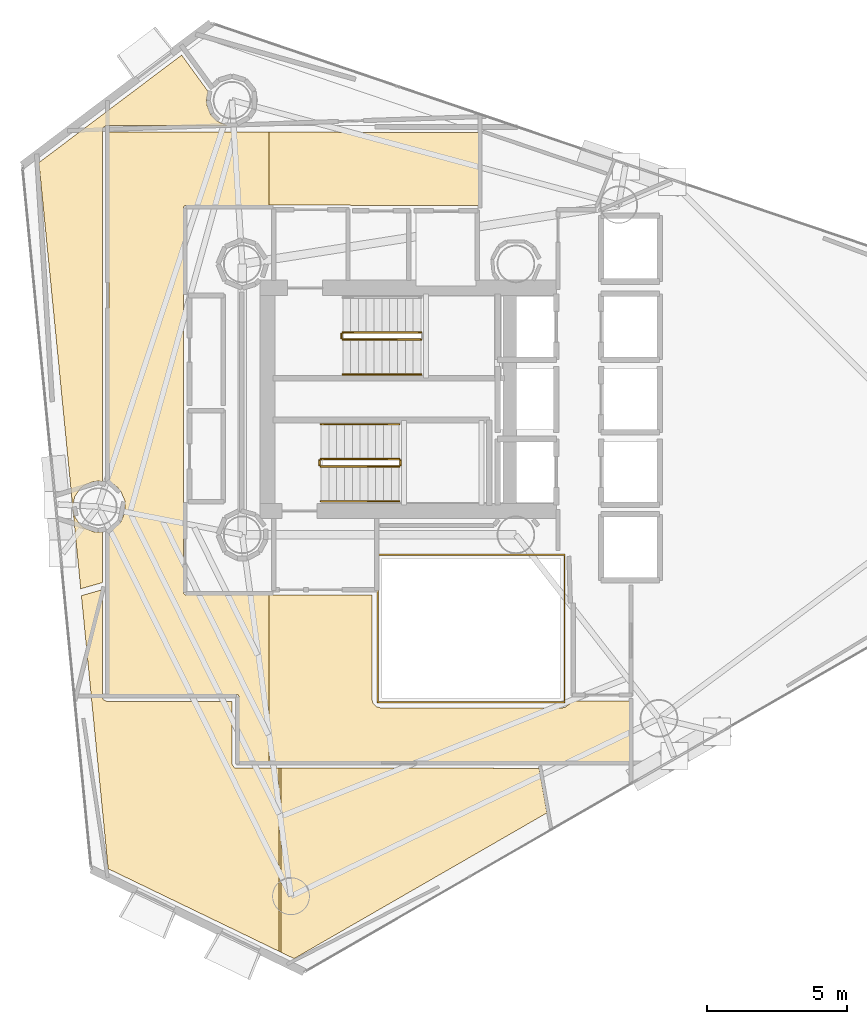
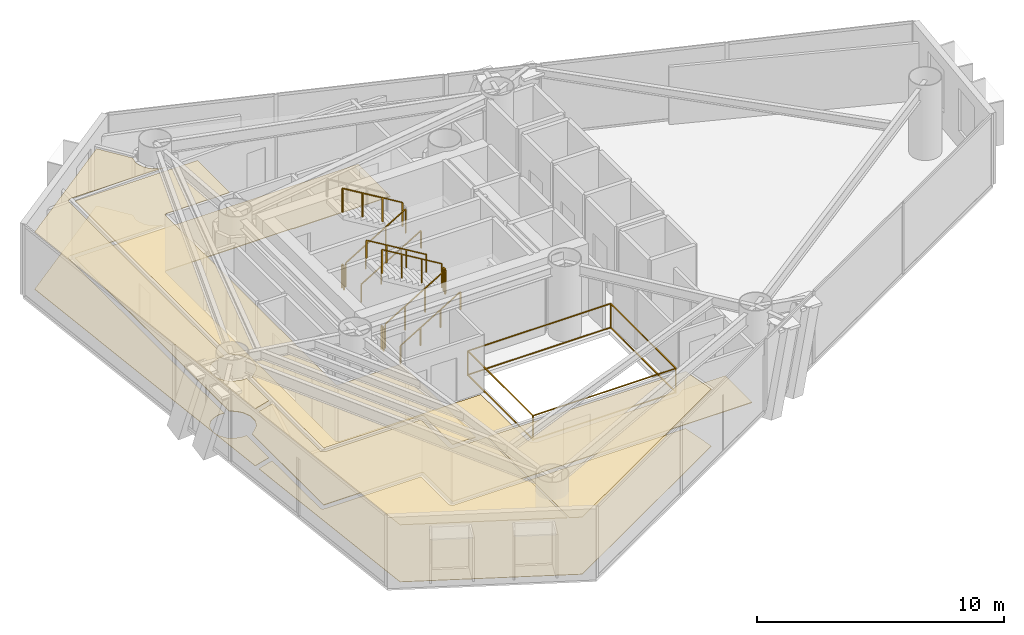
# One storey, part 21 of 22: 11 railings, 7 coverings.
"""IFC4 building model written with IfcOpenShell, lengths in metres."""

import ifcopenshell
import ifcopenshell.guid

model = None  # the IFC model being written
_history = None  # IfcOwnerHistory: only IFC2X3 demands one
_inside = {}  # id of a spatial element -> (the spatial element, [elements in it])
_under = {}  # id of a project, library or spatial element -> (it, [spatial elements below it])
_declared = {}  # id of a project -> (the project, [libraries it declares])
_typed = {}  # id of a type object -> (the type object, [elements of that type])
_made_of = {}  # id of a material, layer set ... -> (it, [elements and type objects made of it])


def new_model(schema):
    """Start an empty IFC model of exactly this schema.

    Asked for "IFC4X3", IfcOpenShell would pick the latest addendum, in which some entities
    have other attributes; the version numbers below select the first issue.
    IFC2X3 requires an IfcOwnerHistory on every rooted entity: one is made here for all.
    """
    global model, _history
    if schema == "IFC4X3":
        model = ifcopenshell.file(schema_version=(4, 3, 0, 0))
    else:
        model = ifcopenshell.file(schema=schema)
    _inside.clear()
    _under.clear()
    _declared.clear()
    _typed.clear()
    _made_of.clear()
    _history = None
    if model.schema == "IFC2X3":
        org = make("IfcOrganization", Name="unknown")
        user = make(
            "IfcPersonAndOrganization",
            ThePerson=make("IfcPerson", FamilyName="unknown"),
            TheOrganization=org,
        )
        app = make(
            "IfcApplication",
            ApplicationDeveloper=org,
            Version="unknown",
            ApplicationFullName="unknown",
            ApplicationIdentifier="unknown",
        )
        _history = make(
            "IfcOwnerHistory",
            OwningUser=user,
            OwningApplication=app,
            ChangeAction="ADDED",
            CreationDate=0,
        )
    return model


def make(cls, **values):
    """One entity of the class cls with the attributes given. An attribute that is None is left unset."""
    return model.create_entity(
        cls, **{name: value for name, value in values.items() if value is not None}
    )


def rooted(cls, **values):
    """An entity with a GlobalId (a new one), such as an element, a storey or a relation."""
    return make(cls, GlobalId=ifcopenshell.guid.new(), OwnerHistory=_history, **values)


def si_unit(unit_type, name, prefix=None):
    """IfcSIUnit, for example si_unit("LENGTHUNIT", "METRE", prefix="MILLI")."""
    return make("IfcSIUnit", UnitType=unit_type, Prefix=prefix, Name=name)


def assignment(units):
    """IfcUnitAssignment: the units of a project."""
    return None if units is None else make("IfcUnitAssignment", Units=units)


def point(xyz):
    """IfcCartesianPoint."""
    return None if xyz is None else make("IfcCartesianPoint", Coordinates=xyz)


def direction(xyz):
    """IfcDirection."""
    return None if xyz is None else make("IfcDirection", DirectionRatios=xyz)


def frame(location, z_axis=None, x_axis=None):
    """IfcAxis2Placement3D, a coordinate frame: its origin and axes. An axis left out is left unset."""
    return make(
        "IfcAxis2Placement3D",
        Location=point(location),
        Axis=direction(z_axis),
        RefDirection=direction(x_axis),
    )


def frame_2d(location, x_axis=None):
    """IfcAxis2Placement2D, a coordinate frame in the plane: its origin and x axis."""
    return make(
        "IfcAxis2Placement2D", Location=point(location), RefDirection=direction(x_axis)
    )


def origin():
    """The frame at (0, 0, 0) with its axes left unset."""
    return frame((0.0, 0.0, 0.0))


def origin_2d():
    """The frame at (0, 0) in the plane with its x axis left unset."""
    return frame_2d((0.0, 0.0))


def place(relative_to, where):
    """IfcLocalPlacement: puts the frame where relative to a parent placement (None: the world)."""
    return make(
        "IfcLocalPlacement", PlacementRelTo=relative_to, RelativePlacement=where
    )


def context(
    kind, dimensions, precision=None, world=None, true_north=None, identifier=None
):
    """IfcGeometricRepresentationContext, for example the 3D "Model" context."""
    return make(
        "IfcGeometricRepresentationContext",
        ContextIdentifier=identifier,
        ContextType=kind,
        CoordinateSpaceDimension=dimensions,
        Precision=precision,
        WorldCoordinateSystem=world,
        TrueNorth=true_north,
    )


def subcontext(parent, identifier, kind, view, scale=None):
    """IfcGeometricRepresentationSubContext, for example "Body" below "Model"."""
    return make(
        "IfcGeometricRepresentationSubContext",
        ContextIdentifier=identifier,
        ContextType=kind,
        ParentContext=parent,
        TargetScale=scale,
        TargetView=view,
    )


def project(units=None, contexts=None):
    """IfcProject with its units and contexts."""
    return rooted(
        "IfcProject",
        Name="project",
        RepresentationContexts=contexts,
        UnitsInContext=assignment(units),
    )


def spatial(cls, under=None, at=None, **own):
    """A site, building, storey or space (cls), placed at a placement, below another one or the project."""
    s = rooted(cls, ObjectPlacement=at, **own)
    if under is not None:
        _under.setdefault(under.id(), (under, []))[1].append(s)
    return s


def polyline(points):
    """IfcPolyline through the points."""
    return make("IfcPolyline", Points=[point(p) for p in points])


def profile(cls, at=None, kind="AREA", **sizes):
    """A parametric profile (cls). Its sizes go by their IFC names, for example OverallWidth=200.0."""
    return make(cls, ProfileType=kind, Position=at, **sizes)


def rectangle(**sizes):
    """IfcRectangleProfileDef."""
    return profile("IfcRectangleProfileDef", **sizes)


def outline(outer, holes=None, kind="AREA"):
    """IfcArbitraryClosedProfileDef: a profile drawn as a closed curve; with holes, ...WithVoids."""
    if holes is None:
        return make("IfcArbitraryClosedProfileDef", ProfileType=kind, OuterCurve=outer)
    return make(
        "IfcArbitraryProfileDefWithVoids",
        ProfileType=kind,
        OuterCurve=outer,
        InnerCurves=holes,
    )


def extrude(swept, where, along, depth):
    """IfcExtrudedAreaSolid: the profile swept, set in the frame where, extruded along a direction by depth."""
    return make(
        "IfcExtrudedAreaSolid",
        SweptArea=swept,
        Position=where,
        ExtrudedDirection=direction(along),
        Depth=depth,
    )


def shape(context_of_items, identifier, shape_type, items):
    """IfcShapeRepresentation: the items that make up one representation, for example the "Body"."""
    return make(
        "IfcShapeRepresentation",
        ContextOfItems=context_of_items,
        RepresentationIdentifier=identifier,
        RepresentationType=shape_type,
        Items=items,
    )


def material(Name=None, Category=None):
    """IfcMaterial."""
    return make("IfcMaterial", Name=Name, Category=Category)


def layer(
    of_material, thickness, ventilated=None, Name=None, Category=None, Priority=None
):
    """IfcMaterialLayer: one layer of a wall or slab, of a material (None: an air gap)."""
    return make(
        "IfcMaterialLayer",
        Material=of_material,
        LayerThickness=thickness,
        IsVentilated=ventilated,
        Name=Name,
        Category=Category,
        Priority=Priority,
    )


def layer_set(layers, Name=None):
    """IfcMaterialLayerSet."""
    return make("IfcMaterialLayerSet", MaterialLayers=layers, LayerSetName=Name)


def made_of(thing, what):
    """Note that an element or type object is made of a material, layer set ...; save() writes the relation."""
    if what is not None:
        _made_of.setdefault(what.id(), (what, []))[1].append(thing)
    return thing


def type_object(cls, material=None, **own):
    """A type object (cls), such as IfcWallType, which elements share."""
    return made_of(rooted(cls, **own), material)


def element(
    cls,
    number,
    at=None,
    inside=None,
    cuts=None,
    type_object=None,
    material=None,
    context=None,
    identifier="Body",
    shape_type=None,
    held_by="IfcProductDefinitionShape",
    body=None,
    shapes=None,
    **own,
):
    """One element of the class cls, such as IfcWall. Its Tag is "e" and its number.

    at: its placement. inside: the storey or other place that contains it. cuts: it is an
    opening in that element (IfcRelVoidsElement). A single representation is given by context,
    identifier, shape_type and body (its items); several are given by shapes. held_by: the class
    of the entity that holds the representations. save() writes the other relations.
    """
    e = rooted(cls, Tag="e%d" % number, ObjectPlacement=at, **own)
    if body is not None:
        shapes = [shape(context, identifier, shape_type, body)]
    if shapes is not None:
        e.Representation = make(held_by, Representations=shapes)
    if inside is not None:
        _inside.setdefault(inside.id(), (inside, []))[1].append(e)
    if cuts is not None:
        rooted(
            "IfcRelVoidsElement", RelatingBuildingElement=cuts, RelatedOpeningElement=e
        )
    if type_object is not None:
        _typed.setdefault(type_object.id(), (type_object, []))[1].append(e)
    return made_of(e, material)


def aggregate(whole, parts):
    """IfcRelAggregates: a whole, such as a stair, and the parts it consists of."""
    return rooted("IfcRelAggregates", RelatingObject=whole, RelatedObjects=parts)


def save(model, path):
    """Write the relations noted so far, then the file.

    IfcRelAggregates (storeys below a building ...), IfcRelContainedInSpatialStructure (elements
    in a storey), IfcRelDefinesByType, IfcRelAssociatesMaterial and IfcRelDeclares: one each for
    every whole, place, type object, material and project.
    """
    for whole, parts in _under.values():
        aggregate(whole, parts)
    for where, things in _inside.values():
        rooted(
            "IfcRelContainedInSpatialStructure",
            RelatedElements=things,
            RelatingStructure=where,
        )
    for kind, things in _typed.values():
        rooted("IfcRelDefinesByType", RelatedObjects=things, RelatingType=kind)
    for what, things in _made_of.values():
        rooted("IfcRelAssociatesMaterial", RelatedObjects=things, RelatingMaterial=what)
    for by, libraries in _declared.values():
        rooted("IfcRelDeclares", RelatingContext=by, RelatedDefinitions=libraries)
    model.write(path)


model = new_model("IFC4")

# Units and contexts
model_context = context("Model", 3, precision=1e-05, world=origin(), true_north=direction((0.0, 1.0)))
body_context = subcontext(model_context, "Body", "Model", "MODEL_VIEW")
ifc_project = project(units=[si_unit("LENGTHUNIT", "METRE"), si_unit("AREAUNIT", "SQUARE_METRE"), si_unit("VOLUMEUNIT", "CUBIC_METRE"), si_unit("PLANEANGLEUNIT", "RADIAN"), si_unit("MASSUNIT", "GRAM", prefix="KILO")], contexts=[model_context])

# Site, building, storey
site_placement = place(None, origin())
site = spatial("IfcSite", under=ifc_project, at=site_placement, CompositionType="ELEMENT")
building_placement = place(site_placement, origin())
building = spatial("IfcBuilding", under=site, at=building_placement, Name="Qianvela Tower", CompositionType="ELEMENT")
storey_placement = place(building_placement, frame((0.0, 0.0, 169.800048828125)))
storey = spatial("IfcBuildingStorey", under=building, at=storey_placement, Name="L43", CompositionType="ELEMENT", Elevation=169.800048828125)

# Coverings
ifc_material_1 = material(Name="Perforated Mineral Acoustic Ceiling Tile")
ifc_layer_1 = layer(ifc_material_1, 0.02490234375)
ifc_layer_set_1 = layer_set([ifc_layer_1], Name="Perforated Mineral Acoustic Ceiling Tile")
covering_type_1 = type_object("IfcCoveringType", Name="COV-CEIL-ACOUSTIC-25", PredefinedType="CEILING", material=ifc_layer_set_1)
covering_1_placement = place(storey_placement, frame((0.0, 0.0, 2.81494140625)))
element("IfcCovering", 1, at=covering_1_placement, inside=storey, type_object=covering_type_1, Name="L43 Acoustic Ceiling Bay 1 L43 Floor Corridor", PredefinedType="CEILING", context=body_context, shape_type="SweptSolid", body=[
    extrude(outline(polyline([(24.4033203125, 25.04150390625), (24.40234375, 25.04931640625), (24.400390625, 25.056884765625), (24.397705078125, 25.064208984375), (24.26416015625, 25.386962890625), (24.2607421875, 25.393798828125), (24.256591796875, 25.400634765625), (24.251953125, 25.406982421875), (24.140625, 25.54248046875), (24.135498046875, 25.54833984375), (24.129638671875, 25.5537109375), (23.830078125, 25.799560546875), (23.830078125, 38.27001953125), (29.554931640625, 38.266845703125), (29.554931640625, 35.651123046875), (26.57958984375, 35.639892578125), (26.572021484375, 35.6396484375), (26.564208984375, 35.638427734375), (26.556396484375, 35.636474609375), (26.54931640625, 35.6337890625), (26.5419921875, 35.630615234375), (26.535400390625, 35.62646484375), (26.529052734375, 35.62158203125), (26.523193359375, 35.616455078125), (26.51806640625, 35.610595703125), (26.513427734375, 35.6044921875), (26.509521484375, 35.59765625), (26.506103515625, 35.590576171875), (26.50341796875, 35.583251953125), (26.50146484375, 35.57568359375), (26.50048828125, 35.56787109375), (26.5, 35.56005859375), (26.5, 21.780029296875), (26.50048828125, 21.772216796875), (26.50146484375, 21.764404296875), (26.50341796875, 21.7568359375), (26.506103515625, 21.74951171875), (26.509521484375, 21.7421875), (26.513427734375, 21.735595703125), (26.518310546875, 21.729248046875), (26.5234375, 21.723388671875), (26.529296875, 21.71826171875), (26.53564453125, 21.71337890625), (26.542236328125, 21.70947265625), (26.54931640625, 21.7060546875), (26.556884765625, 21.703369140625), (26.564453125, 21.701416015625), (26.572265625, 21.700439453125), (26.580078125, 21.699951171875), (29.554931640625, 21.699951171875), (29.554931640625, 15.72998046875), (28.47998046875, 15.72998046875), (28.47998046875, 18.050048828125), (28.4794921875, 18.057861328125), (28.478515625, 18.065673828125), (28.4765625, 18.0732421875), (28.473876953125, 18.08056640625), (28.470703125, 18.087646484375), (28.466552734375, 18.094482421875), (28.4619140625, 18.100830078125), (28.45654296875, 18.106689453125), (28.45068359375, 18.11181640625), (28.4443359375, 18.116455078125), (28.437744140625, 18.12060546875), (28.4306640625, 18.123779296875), (28.423095703125, 18.126708984375), (28.41552734375, 18.12841796875), (28.40771484375, 18.129638671875), (28.39990234375, 18.1298828125), (23.830078125, 18.1298828125), (23.830078125, 23.921142578125), (24.244384765625, 24.302978515625), (24.25048828125, 24.30908203125), (24.255859375, 24.31591796875), (24.26025390625, 24.3232421875), (24.26416015625, 24.3310546875), (24.397705078125, 24.65380859375), (24.400390625, 24.6611328125), (24.40234375, 24.668701171875), (24.4033203125, 24.676513671875), (24.40380859375, 24.684326171875), (24.40380859375, 25.03369140625), (24.4033203125, 25.04150390625)])), origin(), (0.0, 0.0, 1.0), 0.02490234375),
])
covering_2_placement = place(storey_placement, frame((0.0, 0.0, 2.81494140625)))
element("IfcCovering", 2, at=covering_2_placement, inside=storey, type_object=covering_type_1, Name="L43 Acoustic Ceiling Bay 1 Tutorial Breakout Seminar L43-01", PredefinedType="CEILING", context=body_context, shape_type="SweptSolid", body=[
    extrude(outline(polyline([(23.59033203125, 21.884521484375), (23.603515625, 18.00537109375), (23.60400390625, 17.99755859375), (23.60498046875, 17.98974609375), (23.60693359375, 17.982177734375), (23.609619140625, 17.974853515625), (23.613037109375, 17.9677734375), (23.616943359375, 17.9609375), (23.62158203125, 17.95458984375), (23.626953125, 17.948974609375), (23.6328125, 17.943603515625), (23.63916015625, 17.93896484375), (23.645751953125, 17.93505859375), (23.71240234375, 17.8994140625), (23.719482421875, 17.89599609375), (23.726806640625, 17.893310546875), (23.734375, 17.8916015625), (23.7421875, 17.890380859375), (23.75, 17.889892578125), (28.239990234375, 17.889892578125), (28.239990234375, 15.64990234375), (28.240478515625, 15.64208984375), (28.241455078125, 15.634521484375), (28.243408203125, 15.626708984375), (28.24609375, 15.619384765625), (28.24951171875, 15.6123046875), (28.25341796875, 15.605712890625), (28.302978515625, 15.531494140625), (28.3076171875, 15.525390625), (28.312744140625, 15.51953125), (28.318603515625, 15.514404296875), (28.324951171875, 15.509521484375), (28.331787109375, 15.505615234375), (28.338623046875, 15.502197265625), (28.34619140625, 15.49951171875), (28.353759765625, 15.49755859375), (28.361572265625, 15.49658203125), (28.369384765625, 15.49609375), (29.9111328125, 15.4951171875), (29.9111328125, 8.9384765625), (23.7998046875, 11.890869140625), (22.841064453125, 21.669677734375), (23.59033203125, 21.884521484375)])), origin(), (0.0, 0.0, 1.0), 0.02490234375),
])
covering_3_placement = place(storey_placement, frame((0.0, 0.0, 2.81494140625)))
element("IfcCovering", 3, at=covering_3_placement, inside=storey, type_object=covering_type_1, Name="L43 Acoustic Ceiling Bay 2 Tutorial Breakout Seminar L43-01", PredefinedType="CEILING", context=body_context, shape_type="SweptSolid", body=[
    extrude(outline(polyline([(39.229248046875, 15.489990234375), (39.510986328125, 13.89208984375), (30.45703125, 8.6748046875), (29.9912109375, 8.89990234375), (29.9912109375, 15.4951171875), (39.229248046875, 15.489990234375)])), origin(), (0.0, 0.0, 1.0), 0.02490234375),
])
covering_4_placement = place(storey_placement, frame((0.0, 0.0, 2.81494140625)))
element("IfcCovering", 4, at=covering_4_placement, inside=storey, type_object=covering_type_1, Name="L43 Acoustic Ceiling Floor Dining Kitchen L43-05", PredefinedType="CEILING", context=body_context, shape_type="SweptSolid", body=[
    extrude(outline(polyline([(23.590087890625, 25.76025390625), (23.453857421875, 25.773681640625), (23.446044921875, 25.77392578125), (23.438232421875, 25.773681640625), (23.275390625, 25.757568359375), (23.267578125, 25.75634765625), (23.260009765625, 25.75439453125), (23.25244140625, 25.751953125), (22.951416015625, 25.627197265625), (22.9443359375, 25.623779296875), (22.937744140625, 25.619873046875), (22.931396484375, 25.614990234375), (22.8046875, 25.51123046875), (22.799072265625, 25.506103515625), (22.793701171875, 25.500244140625), (22.7890625, 25.493896484375), (22.60791015625, 25.222900390625), (22.60400390625, 25.21630859375), (22.6005859375, 25.209228515625), (22.597900390625, 25.201904296875), (22.59619140625, 25.194091796875), (22.532470703125, 24.87451171875), (22.531494140625, 24.86669921875), (22.531005859375, 24.85888671875), (22.531494140625, 24.851318359375), (22.532470703125, 24.843505859375), (22.59619140625, 24.52392578125), (22.597900390625, 24.51611328125), (22.6005859375, 24.5087890625), (22.60400390625, 24.501708984375), (22.60791015625, 24.4951171875), (22.7890625, 24.22412109375), (22.793701171875, 24.2177734375), (22.799072265625, 24.2119140625), (22.8046875, 24.206787109375), (22.931396484375, 24.102783203125), (22.937744140625, 24.09814453125), (22.9443359375, 24.09423828125), (22.951416015625, 24.0908203125), (23.25244140625, 23.966064453125), (23.260009765625, 23.96337890625), (23.267578125, 23.961669921875), (23.275390625, 23.96044921875), (23.438232421875, 23.9443359375), (23.446044921875, 23.944091796875), (23.453857421875, 23.9443359375), (23.591796875, 23.9580078125), (23.590087890625, 22.13818359375), (22.81689453125, 21.91650390625), (21.3203125, 37.17919921875), (26.4306640625, 41.0283203125), (27.3818359375, 39.718994140625), (27.321533203125, 39.427001953125), (27.3203125, 39.419189453125), (27.320068359375, 39.4111328125), (27.3203125, 39.4033203125), (27.33642578125, 39.240234375), (27.337646484375, 39.232421875), (27.339599609375, 39.224853515625), (27.342041015625, 39.217529296875), (27.466796875, 38.91650390625), (27.47021484375, 38.909423828125), (27.47412109375, 38.902587890625), (27.47900390625, 38.896240234375), (27.484130859375, 38.890380859375), (27.714599609375, 38.66015625), (27.72021484375, 38.65478515625), (27.726806640625, 38.650146484375), (27.7333984375, 38.646240234375), (27.740478515625, 38.642822265625), (28.04150390625, 38.51806640625), (28.048095703125, 38.515625), (28.054931640625, 38.513916015625), (28.06201171875, 38.5126953125), (28.069091796875, 38.51220703125), (28.1875, 38.507568359375), (23.75, 38.510009765625), (23.742919921875, 38.509765625), (23.735595703125, 38.5087890625), (23.728515625, 38.507080078125), (23.721435546875, 38.5048828125), (23.71484375, 38.501708984375), (23.70849609375, 38.498291015625), (23.702392578125, 38.494384765625), (23.625732421875, 38.4375), (23.6201171875, 38.432861328125), (23.61474609375, 38.427490234375), (23.60986328125, 38.421875), (23.605712890625, 38.415771484375), (23.60205078125, 38.4091796875), (23.59912109375, 38.40234375), (23.5966796875, 38.395263671875), (23.5947265625, 38.38818359375), (23.59375, 38.380615234375), (23.593505859375, 38.373291015625), (23.590087890625, 25.76171875), (23.590087890625, 25.76025390625)])), origin(), (0.0, 0.0, 1.0), 0.02490234375),
])
ifc_material_2 = material(Name="Engineered Acoustic Oak Timber Flooring", Category="wood")
ifc_layer_2 = layer(ifc_material_2, 0.02001953125)
ifc_layer_set_2 = layer_set([ifc_layer_2], Name="Engineered Acoustic Oak Timber Flooring")
covering_type_2 = type_object("IfcCoveringType", Name="COV-FLOOR-OAK-20", PredefinedType="FLOORING", material=ifc_layer_set_2)
covering_5_placement = place(storey_placement, origin())
element("IfcCovering", 5, at=covering_5_placement, inside=storey, type_object=covering_type_2, Name="L43 Finish Flooring Tutorial Breakout Seminar L43-01", PredefinedType="FLOORING", context=body_context, shape_type="SweptSolid", body=[
    extrude(outline(polyline([(22.841064453125, 21.669677734375), (23.59033203125, 21.884521484375), (23.603515625, 18.00537109375), (23.60400390625, 17.99755859375), (23.60498046875, 17.98974609375), (23.60693359375, 17.982177734375), (23.609619140625, 17.974853515625), (23.613037109375, 17.9677734375), (23.616943359375, 17.9609375), (23.62158203125, 17.95458984375), (23.626953125, 17.948974609375), (23.6328125, 17.943603515625), (23.63916015625, 17.93896484375), (23.645751953125, 17.93505859375), (23.71240234375, 17.8994140625), (23.719482421875, 17.89599609375), (23.726806640625, 17.893310546875), (23.734375, 17.8916015625), (23.7421875, 17.890380859375), (23.75, 17.889892578125), (28.239990234375, 17.889892578125), (28.239990234375, 15.64990234375), (28.240478515625, 15.64208984375), (28.241455078125, 15.634521484375), (28.243408203125, 15.626708984375), (28.24609375, 15.619384765625), (28.24951171875, 15.6123046875), (28.25341796875, 15.605712890625), (28.302978515625, 15.531494140625), (28.3076171875, 15.525390625), (28.312744140625, 15.51953125), (28.318603515625, 15.514404296875), (28.324951171875, 15.509521484375), (28.331787109375, 15.505615234375), (28.338623046875, 15.502197265625), (28.34619140625, 15.49951171875), (28.353759765625, 15.49755859375), (28.361572265625, 15.49658203125), (28.369384765625, 15.49609375), (39.229248046875, 15.489990234375), (39.510986328125, 13.89208984375), (30.45703125, 8.6748046875), (23.7998046875, 11.890869140625), (22.841064453125, 21.669677734375)])), origin(), (0.0, 0.0, 1.0), 0.02001953125),
])
covering_6_placement = place(storey_placement, origin())
element("IfcCovering", 6, at=covering_6_placement, inside=storey, type_object=covering_type_2, Name="L43 Finish Flooring Floor Dining Kitchen L43-05", PredefinedType="FLOORING", context=body_context, shape_type="SweptSolid", body=[
    extrude(outline(polyline([(23.590087890625, 25.76025390625), (23.453857421875, 25.773681640625), (23.446044921875, 25.77392578125), (23.438232421875, 25.773681640625), (23.275390625, 25.757568359375), (23.267578125, 25.75634765625), (23.260009765625, 25.75439453125), (23.25244140625, 25.751953125), (22.951416015625, 25.627197265625), (22.9443359375, 25.623779296875), (22.937744140625, 25.619873046875), (22.931396484375, 25.614990234375), (22.8046875, 25.51123046875), (22.799072265625, 25.506103515625), (22.793701171875, 25.500244140625), (22.7890625, 25.493896484375), (22.60791015625, 25.222900390625), (22.60400390625, 25.21630859375), (22.6005859375, 25.209228515625), (22.597900390625, 25.201904296875), (22.59619140625, 25.194091796875), (22.532470703125, 24.87451171875), (22.531494140625, 24.86669921875), (22.531005859375, 24.85888671875), (22.531494140625, 24.851318359375), (22.532470703125, 24.843505859375), (22.59619140625, 24.52392578125), (22.597900390625, 24.51611328125), (22.6005859375, 24.5087890625), (22.60400390625, 24.501708984375), (22.60791015625, 24.4951171875), (22.7890625, 24.22412109375), (22.793701171875, 24.2177734375), (22.799072265625, 24.2119140625), (22.8046875, 24.206787109375), (22.931396484375, 24.102783203125), (22.937744140625, 24.09814453125), (22.9443359375, 24.09423828125), (22.951416015625, 24.0908203125), (23.25244140625, 23.966064453125), (23.260009765625, 23.96337890625), (23.267578125, 23.961669921875), (23.275390625, 23.96044921875), (23.438232421875, 23.9443359375), (23.446044921875, 23.944091796875), (23.453857421875, 23.9443359375), (23.591796875, 23.9580078125), (23.590087890625, 22.13818359375), (22.81689453125, 21.91650390625), (21.3203125, 37.17919921875), (26.4306640625, 41.0283203125), (27.3818359375, 39.718994140625), (27.321533203125, 39.427001953125), (27.3203125, 39.419189453125), (27.320068359375, 39.4111328125), (27.3203125, 39.4033203125), (27.33642578125, 39.240234375), (27.337646484375, 39.232421875), (27.339599609375, 39.224853515625), (27.342041015625, 39.217529296875), (27.466796875, 38.91650390625), (27.47021484375, 38.909423828125), (27.47412109375, 38.902587890625), (27.47900390625, 38.896240234375), (27.484130859375, 38.890380859375), (27.714599609375, 38.66015625), (27.72021484375, 38.65478515625), (27.726806640625, 38.650146484375), (27.7333984375, 38.646240234375), (27.740478515625, 38.642822265625), (28.04150390625, 38.51806640625), (28.048095703125, 38.515625), (28.054931640625, 38.513916015625), (28.06201171875, 38.5126953125), (28.069091796875, 38.51220703125), (28.1875, 38.507568359375), (23.75, 38.510009765625), (23.742919921875, 38.509765625), (23.735595703125, 38.5087890625), (23.728515625, 38.507080078125), (23.721435546875, 38.5048828125), (23.71484375, 38.501708984375), (23.70849609375, 38.498291015625), (23.702392578125, 38.494384765625), (23.625732421875, 38.4375), (23.6201171875, 38.432861328125), (23.61474609375, 38.427490234375), (23.60986328125, 38.421875), (23.605712890625, 38.415771484375), (23.60205078125, 38.4091796875), (23.59912109375, 38.40234375), (23.5966796875, 38.395263671875), (23.5947265625, 38.38818359375), (23.59375, 38.380615234375), (23.593505859375, 38.373291015625), (23.590087890625, 25.76171875), (23.590087890625, 25.76025390625)])), origin(), (0.0, 0.0, 1.0), 0.02001953125),
])
ifc_material_3 = material(Name="Honed Stone Terrazzo Flooring", Category="masonry")
ifc_layer_3 = layer(ifc_material_3, 0.030029296875)
ifc_layer_set_3 = layer_set([ifc_layer_3], Name="Honed Stone Terrazzo Flooring")
covering_type_3 = type_object("IfcCoveringType", Name="COV-FLOOR-TERRAZZO-30", PredefinedType="FLOORING", material=ifc_layer_set_3)
covering_7_placement = place(storey_placement, origin())
element("IfcCovering", 7, at=covering_7_placement, inside=storey, type_object=covering_type_3, Name="L43 Finish Flooring L43 Floor Corridor", PredefinedType="FLOORING", context=body_context, shape_type="SweptSolid", body=[
    extrude(outline(polyline([(24.40380859375, 25.03369140625), (24.4033203125, 25.04150390625), (24.40234375, 25.04931640625), (24.400390625, 25.056884765625), (24.397705078125, 25.064208984375), (24.26416015625, 25.386962890625), (24.2607421875, 25.393798828125), (24.256591796875, 25.400634765625), (24.251953125, 25.406982421875), (24.140625, 25.54248046875), (24.135498046875, 25.54833984375), (24.129638671875, 25.5537109375), (23.830078125, 25.799560546875), (23.830078125, 38.27001953125), (37.070068359375, 38.262451171875), (37.070068359375, 35.639892578125), (32.5244140625, 35.639892578125), (32.43798828125, 35.659912109375), (32.428955078125, 35.66162109375), (32.419677734375, 35.662109375), (26.57958984375, 35.639892578125), (26.572021484375, 35.6396484375), (26.564208984375, 35.638427734375), (26.556396484375, 35.636474609375), (26.54931640625, 35.6337890625), (26.5419921875, 35.630615234375), (26.535400390625, 35.62646484375), (26.529052734375, 35.62158203125), (26.523193359375, 35.616455078125), (26.51806640625, 35.610595703125), (26.513427734375, 35.6044921875), (26.509521484375, 35.59765625), (26.506103515625, 35.590576171875), (26.50341796875, 35.583251953125), (26.50146484375, 35.57568359375), (26.50048828125, 35.56787109375), (26.5, 35.56005859375), (26.5, 21.780029296875), (26.50048828125, 21.772216796875), (26.50146484375, 21.764404296875), (26.50341796875, 21.7568359375), (26.506103515625, 21.74951171875), (26.509521484375, 21.7421875), (26.513427734375, 21.735595703125), (26.518310546875, 21.729248046875), (26.5234375, 21.723388671875), (26.529296875, 21.71826171875), (26.53564453125, 21.71337890625), (26.542236328125, 21.70947265625), (26.54931640625, 21.7060546875), (26.556884765625, 21.703369140625), (26.564453125, 21.701416015625), (26.572265625, 21.700439453125), (26.580078125, 21.699951171875), (33.239990234375, 21.699951171875), (33.239990234375, 18.0), (33.240478515625, 17.990234375), (33.242431640625, 17.980712890625), (33.275390625, 17.8486328125), (33.277587890625, 17.841064453125), (33.28076171875, 17.833740234375), (33.284423828125, 17.826904296875), (33.288818359375, 17.8203125), (33.293701171875, 17.814208984375), (33.38525390625, 17.71337890625), (33.391357421875, 17.70751953125), (33.398193359375, 17.701904296875), (33.405517578125, 17.697509765625), (33.4130859375, 17.693603515625), (33.421142578125, 17.690673828125), (33.576904296875, 17.643310546875), (33.58447265625, 17.6416015625), (33.59228515625, 17.640380859375), (33.60009765625, 17.639892578125), (40.0, 17.639892578125), (40.006591796875, 17.640380859375), (40.012939453125, 17.64111328125), (40.019287109375, 17.642333984375), (40.1513671875, 17.675537109375), (40.15869140625, 17.677734375), (40.166015625, 17.6806640625), (40.172607421875, 17.68408203125), (40.17919921875, 17.6884765625), (40.45947265625, 17.89306640625), (42.469970703125, 17.899658203125), (42.469970703125, 15.72998046875), (28.47998046875, 15.72998046875), (28.47998046875, 18.050048828125), (28.4794921875, 18.057861328125), (28.478515625, 18.065673828125), (28.4765625, 18.0732421875), (28.473876953125, 18.08056640625), (28.470703125, 18.087646484375), (28.466552734375, 18.094482421875), (28.4619140625, 18.100830078125), (28.45654296875, 18.106689453125), (28.45068359375, 18.11181640625), (28.4443359375, 18.116455078125), (28.437744140625, 18.12060546875), (28.4306640625, 18.123779296875), (28.423095703125, 18.126708984375), (28.41552734375, 18.12841796875), (28.40771484375, 18.129638671875), (28.39990234375, 18.1298828125), (23.830078125, 18.1298828125), (23.830078125, 23.921142578125), (24.244384765625, 24.302978515625), (24.25048828125, 24.30908203125), (24.255859375, 24.31591796875), (24.26025390625, 24.3232421875), (24.26416015625, 24.3310546875), (24.397705078125, 24.65380859375), (24.400390625, 24.6611328125), (24.40234375, 24.668701171875), (24.4033203125, 24.676513671875), (24.40380859375, 24.684326171875), (24.40380859375, 25.03369140625)])), origin(), (0.0, 0.0, 1.0), 0.030029296875),
])

# Railings
ifc_material_4 = material(Name="Laminated Safety Glass and Stainless Steel 316", Category="steel")
railing_type_1 = type_object("IfcRailingType", Name="RL-ATRIUM-GUARD-1250", PredefinedType="GUARDRAIL", material=ifc_material_4)
railing_1_placement = place(storey_placement, frame((33.4599609375, 17.860107421875, 0.0)))
element("IfcRailing", 8, at=railing_1_placement, inside=storey, type_object=railing_type_1, Name="L43 Atrium Edge Guardrail 1", PredefinedType="GUARDRAIL", context=body_context, shape_type="SweptSolid", body=[
    extrude(rectangle(XDim=0.050048828125, YDim=0.0400390625, at=origin_2d()), frame((0.0, 0.0, 1.22998046875), z_axis=(0.0, 1.0, 0.0), x_axis=(-1.0, 0.0, 0.0)), (0.0, 0.0, 1.0), 5.27978515625),
    extrude(rectangle(XDim=0.050048828125, YDim=0.0400390625, at=origin_2d()), frame((0.0, 0.0, 0.050048828125), z_axis=(0.0, 1.0, 0.0), x_axis=(-1.0, 0.0, 0.0)), (0.0, 0.0, 1.0), 5.27978515625),
    extrude(rectangle(XDim=0.050048828125, YDim=0.0400390625, at=origin_2d()), frame((0.0, 5.27978515625, 1.22998046875), z_axis=(1.0, 0.0, 0.0), x_axis=(0.0, 1.0, 0.0)), (0.0, 0.0, 1.0), 6.679931640625),
    extrude(rectangle(XDim=0.050048828125, YDim=0.0400390625, at=origin_2d()), frame((0.0, 5.27978515625, 0.050048828125), z_axis=(1.0, 0.0, 0.0), x_axis=(0.0, 1.0, 0.0)), (0.0, 0.0, 1.0), 6.679931640625),
    extrude(rectangle(XDim=0.050048828125, YDim=0.0400390625, at=origin_2d()), frame((6.679931640625, 5.27978515625, 1.22998046875), z_axis=(0.0, -1.0, 0.0), x_axis=(1.0, 0.0, 0.0)), (0.0, 0.0, 1.0), 5.27978515625),
    extrude(rectangle(XDim=0.050048828125, YDim=0.0400390625, at=origin_2d()), frame((6.679931640625, 5.27978515625, 0.050048828125), z_axis=(0.0, -1.0, 0.0), x_axis=(1.0, 0.0, 0.0)), (0.0, 0.0, 1.0), 5.27978515625),
    extrude(rectangle(XDim=0.050048828125, YDim=0.0400390625, at=origin_2d()), frame((6.679931640625, 0.0, 1.22998046875), z_axis=(-1.0, 0.0, 0.0), x_axis=(0.0, -1.0, 0.0)), (0.0, 0.0, 1.0), 6.679931640625),
    extrude(rectangle(XDim=0.050048828125, YDim=0.0400390625, at=origin_2d()), frame((6.679931640625, 0.0, 0.050048828125), z_axis=(-1.0, 0.0, 0.0), x_axis=(0.0, -1.0, 0.0)), (0.0, 0.0, 1.0), 6.679931640625),
    extrude(rectangle(XDim=0.050048828125, YDim=0.050048828125, at=origin_2d()), origin(), (0.0, 0.0, 1.0), 1.2099609375),
    extrude(rectangle(XDim=0.050048828125, YDim=0.050048828125, at=origin_2d()), frame((0.0, 5.27978515625, 0.0)), (0.0, 0.0, 1.0), 1.2099609375),
    extrude(rectangle(XDim=0.050048828125, YDim=0.050048828125, at=origin_2d()), frame((6.679931640625, 5.27978515625, 0.0)), (0.0, 0.0, 1.0), 1.2099609375),
    extrude(rectangle(XDim=0.050048828125, YDim=0.050048828125, at=origin_2d()), frame((6.679931640625, 0.0, 0.0)), (0.0, 0.0, 1.0), 1.2099609375),
])
ifc_material_5 = material(Name="Painted Tubular Steel Q355B", Category="steel")
railing_type_2 = type_object("IfcRailingType", Name="RL-STAIR-GUARD-1200", PredefinedType="GUARDRAIL", material=ifc_material_5)
railing_2_placement = place(storey_placement, frame((32.199951171875, 30.840087890625, 0.168212890625)))
element("IfcRailing", 9, at=railing_2_placement, inside=storey, type_object=railing_type_2, Name="L43 ST-1 stair guard 1", PredefinedType="GUARDRAIL", context=body_context, shape_type="SweptSolid", body=[
    extrude(rectangle(XDim=0.050048828125, YDim=0.0400390625, at=origin_2d()), frame((0.0, 0.0, 1.179931640625), z_axis=(0.857275202839, 0.0, 0.514858452973), x_axis=(0.0, 1.0, 0.0)), (0.0, 0.0, 1.0), 3.26611328125),
    extrude(rectangle(XDim=0.050048828125, YDim=0.050048828125, at=origin_2d()), origin(), (0.0, 0.0, 1.0), 1.159912109375),
    extrude(rectangle(XDim=0.050048828125, YDim=0.050048828125, at=origin_2d()), frame((0.933349609375, 0.0, 0.560546875)), (0.0, 0.0, 1.0), 1.159912109375),
    extrude(rectangle(XDim=0.050048828125, YDim=0.050048828125, at=origin_2d()), frame((1.86669921875, 0.0, 1.12109375)), (0.0, 0.0, 1.0), 1.159912109375),
    extrude(rectangle(XDim=0.050048828125, YDim=0.050048828125, at=origin_2d()), frame((2.800048828125, 0.0, 1.681640625)), (0.0, 0.0, 1.0), 1.159912109375),
])
railing_3_placement = place(storey_placement, frame((35.0, 31.10009765625, 2.01806640625)))
element("IfcRailing", 10, at=railing_3_placement, inside=storey, type_object=railing_type_2, Name="L43 ST-1 stair guard 3", PredefinedType="GUARDRAIL", context=body_context, shape_type="SweptSolid", body=[
    extrude(rectangle(XDim=0.050048828125, YDim=0.0400390625, at=origin_2d()), frame((0.0, 0.0, 1.179931640625), z_axis=(-0.857242210791, 0.0, 0.514913383045), x_axis=(0.0, -1.0, 0.0)), (0.0, 0.0, 1.0), 3.266357421875),
    extrude(rectangle(XDim=0.050048828125, YDim=0.050048828125, at=origin_2d()), origin(), (0.0, 0.0, 1.0), 1.159912109375),
    extrude(rectangle(XDim=0.050048828125, YDim=0.050048828125, at=origin_2d()), frame((-0.933349609375, 0.0, 0.560546875)), (0.0, 0.0, 1.0), 1.159912109375),
    extrude(rectangle(XDim=0.050048828125, YDim=0.050048828125, at=origin_2d()), frame((-1.86669921875, 0.0, 1.121337890625)), (0.0, 0.0, 1.0), 1.159912109375),
    extrude(rectangle(XDim=0.050048828125, YDim=0.050048828125, at=origin_2d()), frame((-2.800048828125, 0.0, 1.681884765625)), (0.0, 0.0, 1.0), 1.159912109375),
])
railing_4_placement = place(storey_placement, frame((32.14990234375, 30.889892578125, 0.0)))
element("IfcRailing", 11, at=railing_4_placement, inside=storey, type_object=railing_type_2, Name="L43 ST-1 stair guard 4", PredefinedType="GUARDRAIL", context=body_context, shape_type="SweptSolid", body=[
    extrude(rectangle(XDim=0.050048828125, YDim=0.0400390625, at=origin_2d()), frame((0.0, 0.0, 1.179931640625), z_axis=(0.0, 1.0, 0.0), x_axis=(-1.0, 0.0, 0.0)), (0.0, 0.0, 1.0), 0.16015625),
    extrude(rectangle(XDim=0.050048828125, YDim=0.050048828125, at=origin_2d()), origin(), (0.0, 0.0, 1.0), 1.159912109375),
    extrude(rectangle(XDim=0.050048828125, YDim=0.050048828125, at=origin_2d()), frame((0.0, 0.16015625, 0.0)), (0.0, 0.0, 1.0), 1.159912109375),
])
railing_5_placement = place(storey_placement, frame((31.419921875, 26.300048828125, 0.168212890625)))
element("IfcRailing", 12, at=railing_5_placement, inside=storey, type_object=railing_type_2, Name="L43 ST-2 stair guard 1", PredefinedType="GUARDRAIL", context=body_context, shape_type="SweptSolid", body=[
    extrude(rectangle(XDim=0.050048828125, YDim=0.0400390625, at=origin_2d()), frame((0.0, 0.0, 1.179931640625), z_axis=(0.857275202839, 0.0, 0.514858452973), x_axis=(0.0, 1.0, 0.0)), (0.0, 0.0, 1.0), 3.26611328125),
    extrude(rectangle(XDim=0.050048828125, YDim=0.050048828125, at=origin_2d()), origin(), (0.0, 0.0, 1.0), 1.159912109375),
    extrude(rectangle(XDim=0.050048828125, YDim=0.050048828125, at=origin_2d()), frame((0.933349609375, 0.0, 0.560546875)), (0.0, 0.0, 1.0), 1.159912109375),
    extrude(rectangle(XDim=0.050048828125, YDim=0.050048828125, at=origin_2d()), frame((1.86669921875, 0.0, 1.12109375)), (0.0, 0.0, 1.0), 1.159912109375),
    extrude(rectangle(XDim=0.050048828125, YDim=0.050048828125, at=origin_2d()), frame((2.800048828125, 0.0, 1.681640625)), (0.0, 0.0, 1.0), 1.159912109375),
])
railing_6_placement = place(storey_placement, frame((34.27001953125, 26.35009765625, 1.849853515625)))
element("IfcRailing", 13, at=railing_6_placement, inside=storey, type_object=railing_type_2, Name="L43 ST-2 stair guard 2", PredefinedType="GUARDRAIL", context=body_context, shape_type="SweptSolid", body=[
    extrude(rectangle(XDim=0.050048828125, YDim=0.0400390625, at=origin_2d()), frame((0.0, 0.0, 1.179931640625), z_axis=(0.0, 1.0, 0.0), x_axis=(-1.0, 0.0, 0.0)), (0.0, 0.0, 1.0), 0.159912109375),
    extrude(rectangle(XDim=0.050048828125, YDim=0.050048828125, at=origin_2d()), origin(), (0.0, 0.0, 1.0), 1.159912109375),
    extrude(rectangle(XDim=0.050048828125, YDim=0.050048828125, at=origin_2d()), frame((0.0, 0.159912109375, 0.0)), (0.0, 0.0, 1.0), 1.159912109375),
])
railing_7_placement = place(storey_placement, frame((34.219970703125, 26.56005859375, 2.01806640625)))
element("IfcRailing", 14, at=railing_7_placement, inside=storey, type_object=railing_type_2, Name="L43 ST-2 stair guard 3", PredefinedType="GUARDRAIL", context=body_context, shape_type="SweptSolid", body=[
    extrude(rectangle(XDim=0.050048828125, YDim=0.0400390625, at=origin_2d()), frame((0.0, 0.0, 1.179931640625), z_axis=(-0.857242210791, 0.0, 0.514913383045), x_axis=(0.0, -1.0, 0.0)), (0.0, 0.0, 1.0), 3.266357421875),
    extrude(rectangle(XDim=0.050048828125, YDim=0.050048828125, at=origin_2d()), origin(), (0.0, 0.0, 1.0), 1.159912109375),
    extrude(rectangle(XDim=0.050048828125, YDim=0.050048828125, at=origin_2d()), frame((-0.933349609375, 0.0, 0.560546875)), (0.0, 0.0, 1.0), 1.159912109375),
    extrude(rectangle(XDim=0.050048828125, YDim=0.050048828125, at=origin_2d()), frame((-1.86669921875, 0.0, 1.121337890625)), (0.0, 0.0, 1.0), 1.159912109375),
    extrude(rectangle(XDim=0.050048828125, YDim=0.050048828125, at=origin_2d()), frame((-2.800048828125, 0.0, 1.681884765625)), (0.0, 0.0, 1.0), 1.159912109375),
])
railing_8_placement = place(storey_placement, frame((31.3701171875, 26.35009765625, 0.0)))
element("IfcRailing", 15, at=railing_8_placement, inside=storey, type_object=railing_type_2, Name="L43 ST-2 stair guard 4", PredefinedType="GUARDRAIL", context=body_context, shape_type="SweptSolid", body=[
    extrude(rectangle(XDim=0.050048828125, YDim=0.0400390625, at=origin_2d()), frame((0.0, 0.0, 1.179931640625), z_axis=(0.0, 1.0, 0.0), x_axis=(-1.0, 0.0, 0.0)), (0.0, 0.0, 1.0), 0.159912109375),
    extrude(rectangle(XDim=0.050048828125, YDim=0.050048828125, at=origin_2d()), origin(), (0.0, 0.0, 1.0), 1.159912109375),
    extrude(rectangle(XDim=0.050048828125, YDim=0.050048828125, at=origin_2d()), frame((0.0, 0.159912109375, 0.0)), (0.0, 0.0, 1.0), 1.159912109375),
])
ifc_material_6 = material(Name="Brushed Stainless Steel 304", Category="steel")
railing_type_3 = type_object("IfcRailingType", Name="RL-STAIR-HANDRAIL-900", PredefinedType="HANDRAIL", material=ifc_material_6)
for number, where, name in (
    (16, (32.199951171875, 29.590087890625, 0.168212890625), "L43 ST-1 stair handrail 1"),
    (17, (31.419921875, 25.050048828125, 0.168212890625), "L43 ST-2 stair handrail 1"),
):
    element("IfcRailing", number, at=place(storey_placement, frame(where)), inside=storey, type_object=railing_type_3, Name=name, PredefinedType="HANDRAIL", context=body_context, shape_type="SweptSolid", body=[
        extrude(rectangle(XDim=0.050048828125, YDim=0.0400390625, at=origin_2d()), frame((0.0, 0.0, 0.8798828125), z_axis=(0.857275202839, 0.0, 0.514858452973), x_axis=(0.0, 1.0, 0.0)), (0.0, 0.0, 1.0), 3.26611328125),
        extrude(rectangle(XDim=0.050048828125, YDim=0.050048828125, at=origin_2d()), origin(), (0.0, 0.0, 1.0), 0.85986328125),
        extrude(rectangle(XDim=0.050048828125, YDim=0.050048828125, at=origin_2d()), frame((0.933349609375, 0.0, 0.560546875)), (0.0, 0.0, 1.0), 0.85986328125),
        extrude(rectangle(XDim=0.050048828125, YDim=0.050048828125, at=origin_2d()), frame((1.86669921875, 0.0, 1.12109375)), (0.0, 0.0, 1.0), 0.85986328125),
        extrude(rectangle(XDim=0.050048828125, YDim=0.050048828125, at=origin_2d()), frame((2.800048828125, 0.0, 1.681640625)), (0.0, 0.0, 1.0), 0.85986328125),
    ])
railing_9_placement = place(storey_placement, frame((34.219970703125, 27.81005859375, 2.01806640625)))
element("IfcRailing", 18, at=railing_9_placement, inside=storey, type_object=railing_type_3, Name="L43 ST-2 stair handrail 2", PredefinedType="HANDRAIL", context=body_context, shape_type="SweptSolid", body=[
    extrude(rectangle(XDim=0.050048828125, YDim=0.0400390625, at=origin_2d()), frame((0.0, 0.0, 0.8798828125), z_axis=(-0.857242210791, 0.0, 0.514913383045), x_axis=(0.0, -1.0, 0.0)), (0.0, 0.0, 1.0), 3.266357421875),
    extrude(rectangle(XDim=0.050048828125, YDim=0.050048828125, at=origin_2d()), origin(), (0.0, 0.0, 1.0), 0.85986328125),
    extrude(rectangle(XDim=0.050048828125, YDim=0.050048828125, at=origin_2d()), frame((-0.933349609375, 0.0, 0.560546875)), (0.0, 0.0, 1.0), 0.85986328125),
    extrude(rectangle(XDim=0.050048828125, YDim=0.050048828125, at=origin_2d()), frame((-1.86669921875, 0.0, 1.121337890625)), (0.0, 0.0, 1.0), 0.85986328125),
    extrude(rectangle(XDim=0.050048828125, YDim=0.050048828125, at=origin_2d()), frame((-2.800048828125, 0.0, 1.681884765625)), (0.0, 0.0, 1.0), 0.85986328125),
])

save(model, "model.ifc")
